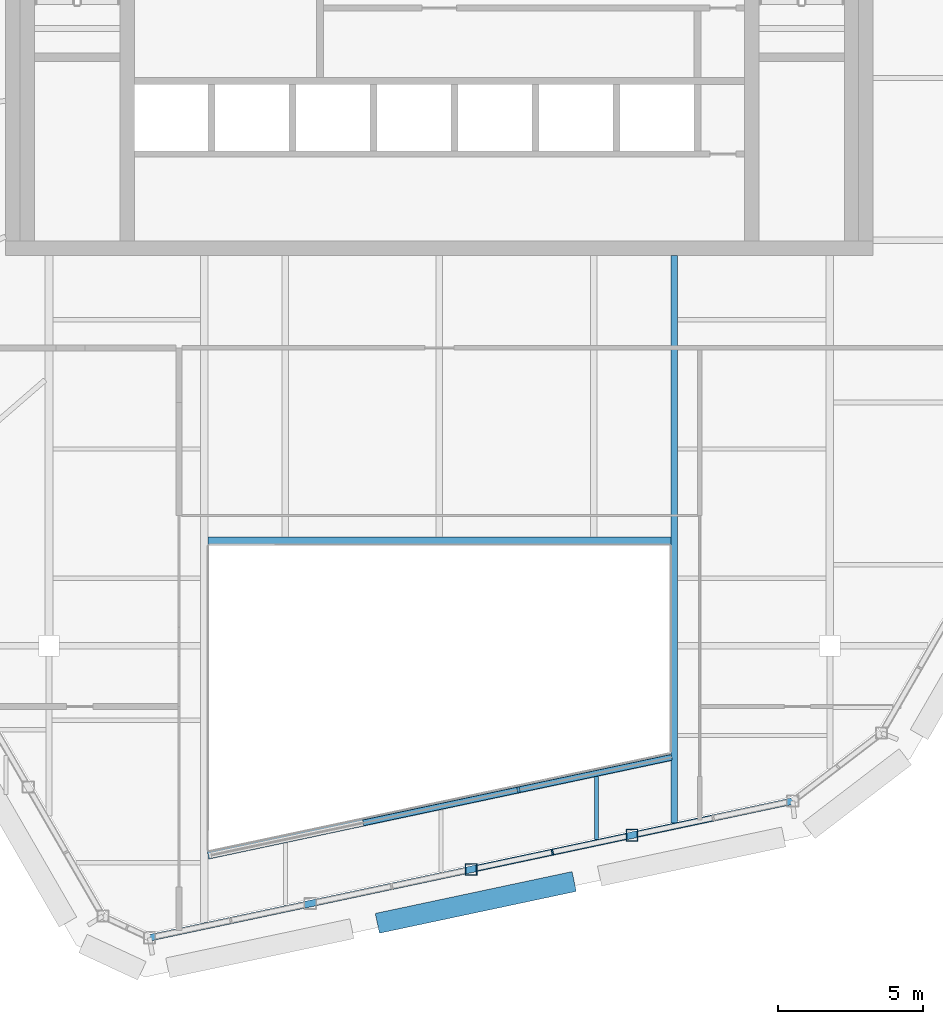
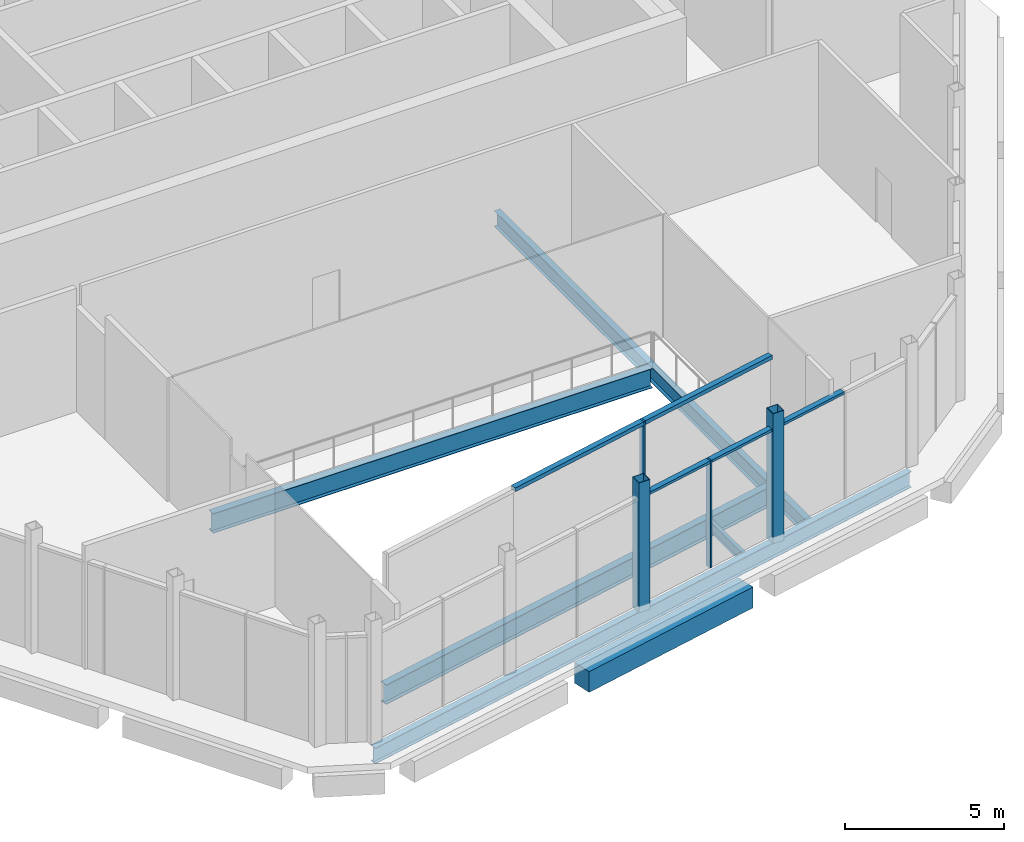
# One storey, part 2 of 12: 9 members, 6 beams, 2 elements without a shape of their own.
"""IFC4 building model written with IfcOpenShell, lengths in metres."""

from ifc_helpers import new_model, si_unit, direction, frame, origin, origin_2d, place, context, subcontext, project, spatial, rectangle, hollow_rectangle, i_section, extrude, material, layer, layer_set, material_profile, profile_set, type_object, element, aggregate, save


model = new_model("IFC4")

# Units and contexts
model_context = context("Model", 3, precision=1e-05, world=origin(), true_north=direction((0.0, 1.0)))
body_context = subcontext(model_context, "Body", "Model", "MODEL_VIEW")
ifc_project = project(units=[si_unit("LENGTHUNIT", "METRE"), si_unit("AREAUNIT", "SQUARE_METRE"), si_unit("VOLUMEUNIT", "CUBIC_METRE"), si_unit("PLANEANGLEUNIT", "RADIAN"), si_unit("MASSUNIT", "GRAM", prefix="KILO")], contexts=[model_context])

# Site, building, storey
site_placement = place(None, origin())
site = spatial("IfcSite", under=ifc_project, at=site_placement, CompositionType="ELEMENT")
building_placement = place(site_placement, origin())
building = spatial("IfcBuilding", under=site, at=building_placement, Name="Isthmus Gate Tower", CompositionType="ELEMENT")
storey_placement = place(building_placement, frame((0.0, 0.0, 301.10009765625)))
storey = spatial("IfcBuildingStorey", under=building, at=storey_placement, Name="C1", CompositionType="ELEMENT", Elevation=301.10009765625)

# Members
ifc_material_1 = material(Name="Structural steel ASTM A500 Gr C", Category="steel")
ifc_material_profile_1 = material_profile(ifc_material_1, hollow_rectangle(XDim=0.406494140625, YDim=0.406494140625, WallThickness=0.017578125, at=origin_2d()), Name="HSS16X16X3/4")
ifc_profile_set_1 = profile_set([ifc_material_profile_1], Name="Structural steel ASTM A500 Gr C")
member_type_1 = type_object("IfcMemberType", Name="CROWN POST HSS16X16X3/4", PredefinedType="POST", material=ifc_profile_set_1)
for number, where, z_axis, x_axis, name in (
    (1, (1.097412109375, -21.233154296875, -0.25), (0.0, 0.0, 1.0), (1.0, 0.0, 0.0), "str-crownpost-C1-18"),
    (2, (6.65625, -20.0517578125, -0.25), (0.0, 0.0, 1.0), (1.0, 0.0, 0.0), "str-crownpost-C1-19"),
):
    element("IfcMember", number, at=place(storey_placement, frame(where, z_axis=z_axis, x_axis=x_axis)), inside=storey, type_object=member_type_1, Name=name, PredefinedType="POST", context=body_context, shape_type="SweptSolid", body=[
        extrude(hollow_rectangle(XDim=0.406494140625, YDim=0.406494140625, WallThickness=0.017578125, at=origin_2d()), origin(), (0.0, 0.0, 1.0), 5.0),
    ])

# Beam
ifc_material_2 = material(Name="Structural steel ASTM A992 Gr 50", Category="steel")
ifc_material_profile_2 = material_profile(ifc_material_2, i_section(OverallWidth=0.231689453125, OverallDepth=0.615966796875, WebThickness=0.0126953125, FlangeThickness=0.022216796875, at=origin_2d()), Name="W24X94")
ifc_profile_set_2 = profile_set([ifc_material_profile_2], Name="Structural steel ASTM A992 Gr 50")
beam_type_1 = type_object("IfcBeamType", Name="CROWN RING BEAM W24X94", PredefinedType="BEAM", material=ifc_profile_set_2)
beam_1_placement = place(storey_placement, frame((-10.020263671875, -23.596435546875, -0.55810546875), z_axis=(0.978147166982, 0.207913731451, 0.0), x_axis=(-0.207913731451, 0.978147166982, 0.0)))
element("IfcBeam", 3, at=beam_1_placement, inside=storey, type_object=beam_type_1, Name="str-crownring-C1-06", PredefinedType="BEAM", context=body_context, shape_type="SweptSolid", body=[
    extrude(i_section(OverallWidth=0.231689453125, OverallDepth=0.615966796875, WebThickness=0.0126953125, FlangeThickness=0.022216796875, at=origin_2d()), origin(), (0.0, 0.0, 1.0), 22.732177734375),
])

# Curtain wall, members
ifc_material_3 = material(Name="Aluminium, pale champagne anodised", Category="aluminium")
ifc_layer_1 = layer(ifc_material_3, 0.199951171875)
ifc_layer_set_1 = layer_set([ifc_layer_1], Name="CW-2 LOUVRE CURTAIN WALL 200 DEEP")
curtain_wall_type_1 = type_object("IfcCurtainWallType", Name="CW-2 LOUVRE CURTAIN WALL 200 DEEP", PredefinedType="NOTDEFINED", material=ifc_layer_set_1)
curtain_wall_1_placement = place(storey_placement, origin())
curtain_wall_1 = element("IfcCurtainWall", 4, at=curtain_wall_1_placement, inside=storey, type_object=curtain_wall_type_1, Name="CW-2 E06 C1", PredefinedType="NOTDEFINED")
ifc_material_4 = material(Name="Aluminium, pale champagne anodised", Category="aluminium")
ifc_material_profile_3 = material_profile(ifc_material_4, rectangle(XDim=0.06005859375, YDim=0.199951171875, at=origin_2d()), Name="60x200")
ifc_profile_set_3 = profile_set([ifc_material_profile_3], Name="Aluminium, pale champagne anodised")
member_type_2 = type_object("IfcMemberType", Name="CW-2 MULLION 60 X 200", PredefinedType="MULLION", material=ifc_profile_set_3)
member_1_placement = place(storey_placement, frame((3.90625, -20.63623046875, 0.0), z_axis=(0.0, 0.0, 1.0), x_axis=(0.978147600734, 0.207911690818, 0.0)))
member_1 = element("IfcMember", 5, at=member_1_placement, type_object=member_type_2, Name="CW-2 mullion", PredefinedType="MULLION", context=body_context, shape_type="SweptSolid", body=[
    extrude(rectangle(XDim=0.06005859375, YDim=0.199951171875, at=origin_2d()), origin(), (0.0, 0.0, 1.0), 4.134033203125),
])
ifc_material_5 = material(Name="Aluminium, pale champagne anodised", Category="aluminium")
ifc_material_profile_4 = material_profile(ifc_material_5, rectangle(XDim=0.199951171875, YDim=0.10009765625, at=origin_2d()), Name="200x100")
ifc_profile_set_4 = profile_set([ifc_material_profile_4], Name="Aluminium, pale champagne anodised")
member_type_3 = type_object("IfcMemberType", Name="CW-2 TRANSOM 200 X 100", PredefinedType="USERDEFINED", material=ifc_profile_set_4)
member_2_placement = place(storey_placement, frame((1.29638671875, -21.19091796875, 4.083984375), z_axis=(0.978142384703, 0.207936228801, 0.0), x_axis=(-0.207936228801, 0.978142384703, 0.0)))
member_2 = element("IfcMember", 6, at=member_2_placement, type_object=member_type_3, Name="CW-2 transom", ObjectType="TRANSOM", PredefinedType="USERDEFINED", context=body_context, shape_type="SweptSolid", body=[
    extrude(rectangle(XDim=0.199951171875, YDim=0.10009765625, at=origin_2d()), origin(), (0.0, 0.0, 1.0), 2.63818359375),
])
member_3_placement = place(storey_placement, frame((3.935546875, -20.6298828125, 4.083984375), z_axis=(0.978161257419, 0.207847430787, 0.0), x_axis=(-0.207847430787, 0.978161257419, 0.0)))
member_3 = element("IfcMember", 7, at=member_3_placement, type_object=member_type_3, Name="CW-2 transom", ObjectType="TRANSOM", PredefinedType="USERDEFINED", context=body_context, shape_type="SweptSolid", body=[
    extrude(rectangle(XDim=0.199951171875, YDim=0.10009765625, at=origin_2d()), origin(), (0.0, 0.0, 1.0), 2.578369140625),
])
member_4_placement = place(storey_placement, frame((6.855224609375, -20.00927734375, 4.083984375), z_axis=(0.978161202779, 0.207847687932, 0.0), x_axis=(-0.207847687932, 0.978161202779, 0.0)))
member_4 = element("IfcMember", 8, at=member_4_placement, type_object=member_type_3, Name="CW-2 transom", ObjectType="TRANSOM", PredefinedType="USERDEFINED", context=body_context, shape_type="SweptSolid", body=[
    extrude(rectangle(XDim=0.199951171875, YDim=0.10009765625, at=origin_2d()), origin(), (0.0, 0.0, 1.0), 2.63818359375),
])
aggregate(curtain_wall_1, [member_2, member_1, member_3, member_4])

ifc_material_6 = material(Name="Aluminium, pale champagne anodised", Category="aluminium")
ifc_layer_2 = layer(ifc_material_6, 0.199951171875)
ifc_layer_set_2 = layer_set([ifc_layer_2], Name="CW-4 ATRIUM CURTAIN WALL 200 DEEP")
curtain_wall_type_2 = type_object("IfcCurtainWallType", Name="CW-4 ATRIUM CURTAIN WALL 200 DEEP", PredefinedType="NOTDEFINED", material=ifc_layer_set_2)
curtain_wall_2_placement = place(storey_placement, origin())
curtain_wall_2 = element("IfcCurtainWall", 9, at=curtain_wall_2_placement, inside=storey, type_object=curtain_wall_type_2, Name="CW-4 atrium south C1", PredefinedType="NOTDEFINED")
ifc_material_7 = material(Name="Aluminium, pale champagne anodised", Category="aluminium")
ifc_material_profile_5 = material_profile(ifc_material_7, rectangle(XDim=0.080078125, YDim=0.199951171875, at=origin_2d()), Name="80x200")
ifc_profile_set_5 = profile_set([ifc_material_profile_5], Name="Aluminium, pale champagne anodised")
member_type_4 = type_object("IfcMemberType", Name="CW-4 MULLION 80 X 200", PredefinedType="MULLION", material=ifc_profile_set_5)
member_5_placement = place(storey_placement, frame((2.737060546875, -18.482177734375, 0.0), z_axis=(0.0, 0.0, 1.0), x_axis=(0.978147600734, 0.207911690818, 0.0)))
member_5 = element("IfcMember", 10, at=member_5_placement, type_object=member_type_4, Name="CW-4 mullion", PredefinedType="MULLION", context=body_context, shape_type="SweptSolid", body=[
    extrude(rectangle(XDim=0.080078125, YDim=0.199951171875, at=origin_2d()), origin(), (0.0, 0.0, 1.0), 4.75),
])
ifc_material_8 = material(Name="Aluminium, pale champagne anodised", Category="aluminium")
ifc_material_profile_6 = material_profile(ifc_material_8, rectangle(XDim=0.199951171875, YDim=0.14990234375, at=origin_2d()), Name="200x150")
ifc_profile_set_6 = profile_set([ifc_material_profile_6], Name="Aluminium, pale champagne anodised")
member_type_5 = type_object("IfcMemberType", Name="CW-4 TRANSOM 200 X 150", PredefinedType="USERDEFINED", material=ifc_profile_set_6)
member_6_placement = place(storey_placement, frame((-2.635498046875, -19.624267578125, 4.6748046875), z_axis=(0.9781412086, 0.207941761169, 0.0), x_axis=(-0.207941761169, 0.9781412086, 0.0)))
member_6 = element("IfcMember", 11, at=member_6_placement, type_object=member_type_5, Name="CW-4 transom", ObjectType="TRANSOM", PredefinedType="USERDEFINED", context=body_context, shape_type="SweptSolid", body=[
    extrude(rectangle(XDim=0.199951171875, YDim=0.14990234375, at=origin_2d()), origin(), (0.0, 0.0, 1.0), 5.452392578125),
])
member_7_placement = place(storey_placement, frame((2.776123046875, -18.473876953125, 4.6748046875), z_axis=(0.978150188204, 0.207899517354, 0.0), x_axis=(-0.207899517354, 0.978150188204, 0.0)))
member_7 = element("IfcMember", 12, at=member_7_placement, type_object=member_type_5, Name="CW-4 transom", ObjectType="TRANSOM", PredefinedType="USERDEFINED", context=body_context, shape_type="SweptSolid", body=[
    extrude(rectangle(XDim=0.199951171875, YDim=0.14990234375, at=origin_2d()), origin(), (0.0, 0.0, 1.0), 5.37255859375),
])
aggregate(curtain_wall_2, [member_6, member_5, member_7])

# Beams
ifc_material_9 = material(Name="Concrete f'c 50 MPa", Category="concrete")
ifc_material_profile_7 = material_profile(ifc_material_9, rectangle(XDim=0.699951171875, YDim=0.800048828125, at=origin_2d()), Name="RC 700X800")
ifc_profile_set_7 = profile_set([ifc_material_profile_7], Name="Concrete f'c 50 MPa")
beam_type_2 = type_object("IfcBeamType", Name="RC ROOF RING BEAM 700 X 800", PredefinedType="BEAM", material=ifc_profile_set_7)
beam_2_placement = place(storey_placement, frame((4.659912109375, -21.651611328125, -0.650146484375), z_axis=(-0.978143150477, -0.207932626528, 0.0), x_axis=(0.207932626528, -0.978143150477, 0.0)))
element("IfcBeam", 13, at=beam_2_placement, inside=storey, type_object=beam_type_2, Name="str-roofring-C1-10", PredefinedType="BEAM", context=body_context, shape_type="SweptSolid", body=[
    extrude(rectangle(XDim=0.699951171875, YDim=0.800048828125, at=origin_2d()), origin(), (0.0, 0.0, 1.0), 6.956787109375),
])
ifc_material_10 = material(Name="Structural steel ASTM A992 Gr 50", Category="steel")
ifc_material_profile_8 = material_profile(ifc_material_10, i_section(OverallWidth=0.1396484375, OverallDepth=0.4033203125, WebThickness=0.00634765625, FlangeThickness=0.010986328125, at=origin_2d()), Name="W16X31")
ifc_profile_set_8 = profile_set([ifc_material_profile_8], Name="Structural steel ASTM A992 Gr 50")
beam_type_3 = type_object("IfcBeamType", Name="STEEL FLOOR BEAM W16X31", PredefinedType="JOIST", material=ifc_profile_set_8)
beam_3_placement = place(storey_placement, frame((5.428466796875, -20.194091796875, -0.45166015625), z_axis=(0.0, 1.0, 0.0), x_axis=(-1.0, 0.0, 0.0)))
element("IfcBeam", 14, at=beam_3_placement, inside=storey, type_object=beam_type_3, Name="str-beam-C1-04-02", PredefinedType="JOIST", context=body_context, shape_type="SweptSolid", body=[
    extrude(i_section(OverallWidth=0.1396484375, OverallDepth=0.4033203125, WebThickness=0.00634765625, FlangeThickness=0.010986328125, at=origin_2d()), origin(), (0.0, 0.0, 1.0), 2.164794921875),
])
ifc_material_11 = material(Name="Structural steel ASTM A992 Gr 50", Category="steel")
ifc_material_profile_9 = material_profile(ifc_material_11, i_section(OverallWidth=0.228515625, OverallDepth=0.603271484375, WebThickness=0.010986328125, FlangeThickness=0.014404296875, at=origin_2d()), Name="W24X68")
ifc_profile_set_9 = profile_set([ifc_material_profile_9], Name="Structural steel ASTM A992 Gr 50")
beam_type_4 = type_object("IfcBeamType", Name="STEEL TRIMMER W24X68", PredefinedType="BEAM", material=ifc_profile_set_9)
beam_4_placement = place(storey_placement, frame((8.1142578125, -19.623291015625, -0.5517578125), z_axis=(0.0, 1.0, 0.0), x_axis=(-1.0, 0.0, 0.0)))
element("IfcBeam", 15, at=beam_4_placement, inside=storey, type_object=beam_type_4, Name="str-trimmer-C1-01", PredefinedType="BEAM", context=body_context, shape_type="SweptSolid", body=[
    extrude(i_section(OverallWidth=0.228515625, OverallDepth=0.603271484375, WebThickness=0.010986328125, FlangeThickness=0.014404296875, at=origin_2d()), origin(), (0.0, 0.0, 1.0), 19.623291015625),
])
ifc_material_12 = material(Name="Structural steel ASTM A992 Gr 50", Category="steel")
ifc_material_profile_10 = material_profile(ifc_material_12, i_section(OverallWidth=0.2666015625, OverallDepth=0.7587890625, WebThickness=0.014404296875, FlangeThickness=0.01904296875, at=origin_2d()), Name="W30X108")
ifc_profile_set_10 = profile_set([ifc_material_profile_10], Name="Structural steel ASTM A992 Gr 50")
beam_type_5 = type_object("IfcBeamType", Name="STEEL TRIMMER W30X108", PredefinedType="BEAM", material=ifc_profile_set_10)
beam_5_placement = place(storey_placement, frame((-8.0, -20.747314453125, -0.62939453125), z_axis=(0.978147924985, 0.20791016533, 0.0), x_axis=(-0.20791016533, 0.978147924985, 0.0)))
element("IfcBeam", 16, at=beam_5_placement, inside=storey, type_object=beam_type_5, Name="str-trimmer-C1-03", PredefinedType="BEAM", context=body_context, shape_type="SweptSolid", body=[
    extrude(i_section(OverallWidth=0.2666015625, OverallDepth=0.7587890625, WebThickness=0.014404296875, FlangeThickness=0.01904296875, at=origin_2d()), origin(), (0.0, 0.0, 1.0), 16.357421875),
])
beam_6_placement = place(storey_placement, frame((8.0, -9.86669921875, -0.62939453125), z_axis=(-1.0, 0.0, 0.0), x_axis=(0.0, -1.0, 0.0)))
element("IfcBeam", 17, at=beam_6_placement, inside=storey, type_object=beam_type_5, Name="str-trimmer-C1-04", PredefinedType="BEAM", context=body_context, shape_type="SweptSolid", body=[
    extrude(i_section(OverallWidth=0.2666015625, OverallDepth=0.7587890625, WebThickness=0.014404296875, FlangeThickness=0.01904296875, at=origin_2d()), origin(), (0.0, 0.0, 1.0), 16.0),
])

save(model, "model.ifc")
